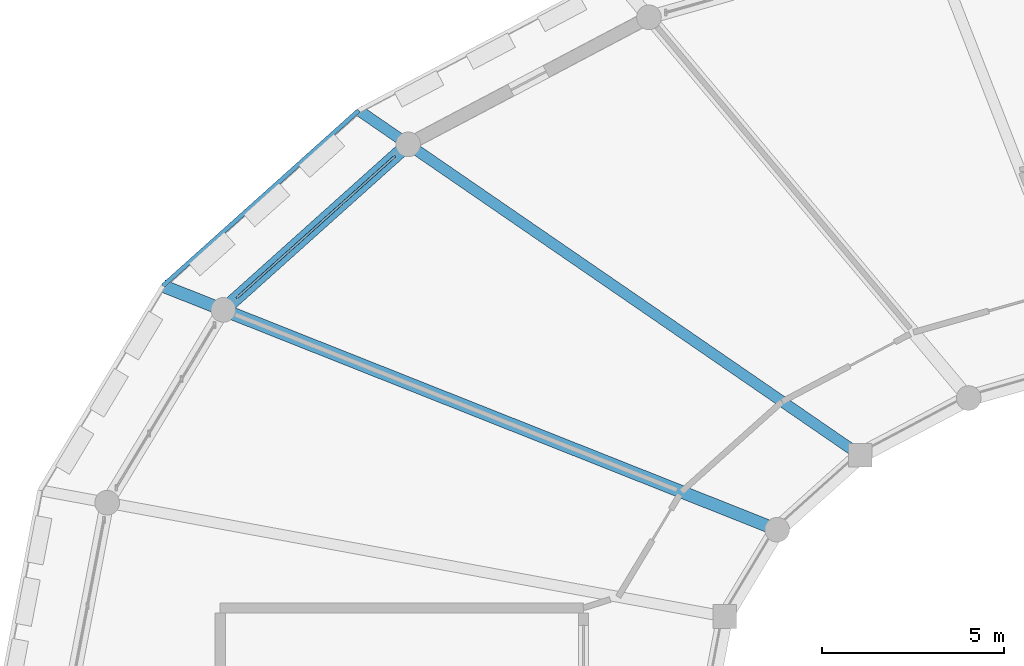
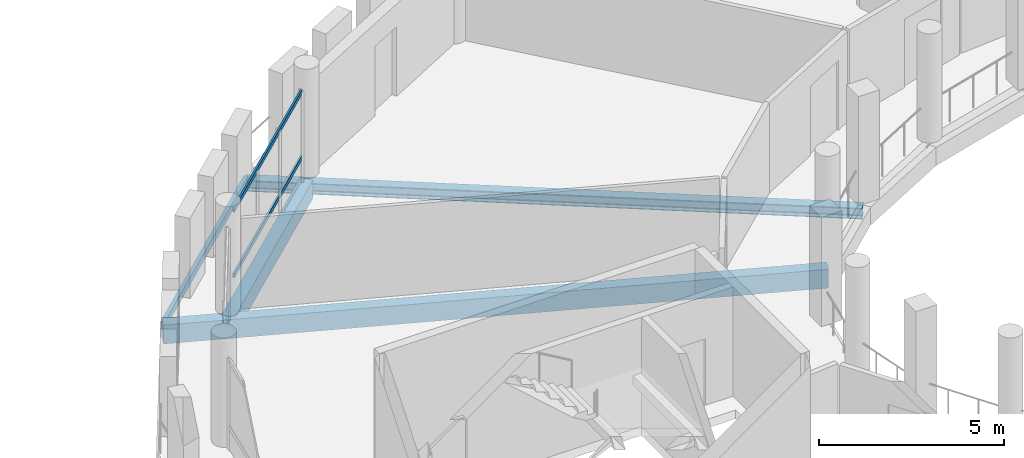
# One storey, part 65 of 128: 4 beams, 2 members, 1 element without a shape of its own.
"""IFC4 building model written with IfcOpenShell, lengths in metres."""

from ifc_helpers import new_model, si_unit, direction, frame, origin, origin_2d, place, context, subcontext, project, spatial, rectangle, hollow_rectangle, i_section, extrude, material, material_profile, profile_set, type_object, element, aggregate, save


model = new_model("IFC4")

# Units and contexts
model_context = context("Model", 3, precision=1e-05, world=origin(), true_north=direction((0.0, 1.0)))
body_context = subcontext(model_context, "Body", "Model", "MODEL_VIEW")
ifc_project = project(units=[si_unit("LENGTHUNIT", "METRE"), si_unit("AREAUNIT", "SQUARE_METRE"), si_unit("VOLUMEUNIT", "CUBIC_METRE"), si_unit("PLANEANGLEUNIT", "RADIAN"), si_unit("MASSUNIT", "GRAM", prefix="KILO")], contexts=[model_context])

# Site, building, storey
site_placement = place(None, origin())
site = spatial("IfcSite", under=ifc_project, at=site_placement, CompositionType="ELEMENT")
building_placement = place(site_placement, origin())
building = spatial("IfcBuilding", under=site, at=building_placement, Name="Zornivar Specialist Clinic", CompositionType="ELEMENT")
storey_placement = place(building_placement, frame((0.0, 0.0, 4.5)))
storey = spatial("IfcBuildingStorey", under=building, at=storey_placement, Name="L01", CompositionType="ELEMENT", Elevation=4.5)

# Beams
ifc_material_1 = material(Name="Concrete C30/37", Category="concrete")
ifc_material_profile_1 = material_profile(ifc_material_1, rectangle(XDim=0.35009765625, YDim=0.6201171875, at=origin_2d()), Name="RC 350x620")
ifc_profile_set_1 = profile_set([ifc_material_profile_1], Name="Concrete C30/37")
beam_type_1 = type_object("IfcBeamType", Name="BM-RC-CANT-350x620", PredefinedType="BEAM", material=ifc_profile_set_1)
beam_1_placement = place(storey_placement, frame((81.12890625, 62.550048828125, -0.550048828125), z_axis=(-0.929458420314, 0.368926882873, 0.0), x_axis=(-0.368926882873, -0.929458420314, 0.0)))
element("IfcBeam", 1, at=beam_1_placement, inside=storey, type_object=beam_type_1, Name="bm:V1:L01:radcant:10", PredefinedType="BEAM", context=body_context, shape_type="SweptSolid", body=[
    extrude(rectangle(XDim=0.35009765625, YDim=0.6201171875, at=origin_2d()), origin(), (0.0, 0.0, 1.0), 18.187744140625),
])
ifc_material_2 = material(Name="Concrete C30/37", Category="concrete")
ifc_material_profile_2 = material_profile(ifc_material_2, rectangle(XDim=0.3701171875, YDim=0.60009765625, at=origin_2d()), Name="RC 370x600")
ifc_profile_set_2 = profile_set([ifc_material_profile_2], Name="Concrete C30/37")
beam_type_2 = type_object("IfcBeamType", Name="BM-RC-SPANDREL-370x600", PredefinedType="SPANDREL", material=ifc_profile_set_2)
beam_2_placement = place(storey_placement, frame((70.972900390625, 73.156005859375, -0.5400390625), z_axis=(-0.744853105459, -0.66722848507, 0.0), x_axis=(0.66722848507, -0.744853105459, 0.0)))
element("IfcBeam", 2, at=beam_2_placement, inside=storey, type_object=beam_type_2, Name="bm:V1:L01:outring:09", PredefinedType="SPANDREL", context=body_context, shape_type="SweptSolid", body=[
    extrude(rectangle(XDim=0.3701171875, YDim=0.60009765625, at=origin_2d()), origin(), (0.0, 0.0, 1.0), 6.828125),
])
ifc_material_3 = material(Name="Steel S355J2", Category="steel")
ifc_material_profile_3 = material_profile(ifc_material_3, i_section(OverallWidth=0.300048828125, OverallDepth=0.360107421875, WebThickness=0.012451171875, FlangeThickness=0.0224609375, FilletRadius=0.027099609375, at=origin_2d()), Name="HEB 360")
ifc_profile_set_3 = profile_set([ifc_material_profile_3], Name="Steel S355J2")
beam_type_3 = type_object("IfcBeamType", Name="BM-STL-HEB360", PredefinedType="BEAM", material=ifc_profile_set_3)
beam_3_placement = place(storey_placement, frame((83.41796875, 64.60009765625, -0.469970703125), z_axis=(-0.82402959127, 0.566546761276, 0.0), x_axis=(-0.566546761276, -0.82402959127, 0.0)))
element("IfcBeam", 3, at=beam_3_placement, inside=storey, type_object=beam_type_3, Name="bm:V1:L01:radmid:09", PredefinedType="BEAM", context=body_context, shape_type="SweptSolid", body=[
    extrude(i_section(OverallWidth=0.300048828125, OverallDepth=0.360107421875, WebThickness=0.012451171875, FlangeThickness=0.0224609375, FilletRadius=0.027099609375, at=origin_2d()), origin(), (0.0, 0.0, 1.0), 16.75048828125),
])
ifc_material_4 = material(Name="Steel S355J2", Category="steel")
ifc_material_profile_4 = material_profile(ifc_material_4, hollow_rectangle(XDim=0.1201171875, YDim=0.239990234375, WallThickness=0.008056640625, at=origin_2d()), Name="RHS 240x120x8")
ifc_profile_set_4 = profile_set([ifc_material_profile_4], Name="Steel S355J2")
beam_type_4 = type_object("IfcBeamType", Name="BM-STL-RHS240", PredefinedType="JOIST", material=ifc_profile_set_4)
beam_4_placement = place(storey_placement, frame((69.614990234375, 74.090087890625, -0.360107421875), z_axis=(-0.744783297449, -0.667306406264, 0.0), x_axis=(0.667306406264, -0.744783297449, 0.0)))
element("IfcBeam", 4, at=beam_4_placement, inside=storey, type_object=beam_type_4, Name="bm:V1:L01:balring:09", PredefinedType="JOIST", context=body_context, shape_type="SweptSolid", body=[
    extrude(hollow_rectangle(XDim=0.1201171875, YDim=0.239990234375, WallThickness=0.008056640625, at=origin_2d()), origin(), (0.0, 0.0, 1.0), 7.23828125),
])

# Curtain wall, members
ifc_material_5 = material(Name="Aluminium and Low-E Glass Curtain Wall", Category="aluminium")
curtain_wall_type = type_object("IfcCurtainWallType", Name="CW-DRUM-FACET", PredefinedType="NOTDEFINED", material=ifc_material_5)
curtain_wall_placement = place(storey_placement, origin())
curtain_wall = element("IfcCurtainWall", 5, at=curtain_wall_placement, inside=storey, type_object=curtain_wall_type, Name="cw:V1:L01:c09", PredefinedType="NOTDEFINED")
ifc_material_6 = material(Name="Aluminium AW-6060", Category="aluminium")
ifc_material_profile_5 = material_profile(ifc_material_6, hollow_rectangle(XDim=0.06005859375, YDim=0.14501953125, WallThickness=0.00390625, at=origin_2d()), Name="ALU 60x145x4")
ifc_profile_set_5 = profile_set([ifc_material_profile_5], Name="Aluminium AW-6060")
member_type = type_object("IfcMemberType", Name="CWM-TRN-145", PredefinedType="USERDEFINED", material=ifc_profile_set_5)
member_1_placement = place(storey_placement, frame((70.614990234375, 72.8349609375, 0.782958984375), z_axis=(-0.744887471381, -0.667190119067, 0.0), x_axis=(0.667190119067, -0.744887471381, 0.0)))
member_1 = element("IfcMember", 6, at=member_1_placement, type_object=member_type, Name="cw:V1:L01:c09:trn:0", ObjectType="TRANSOM", PredefinedType="USERDEFINED", context=body_context, shape_type="SweptSolid", body=[
    extrude(hollow_rectangle(XDim=0.06005859375, YDim=0.14501953125, WallThickness=0.00390625, at=origin_2d()), origin(), (0.0, 0.0, 1.0), 5.866455078125),
])
member_2_placement = place(storey_placement, frame((70.614990234375, 72.8349609375, 2.945068359375), z_axis=(-0.744887471381, -0.667190119067, 0.0), x_axis=(0.667190119067, -0.744887471381, 0.0)))
member_2 = element("IfcMember", 7, at=member_2_placement, type_object=member_type, Name="cw:V1:L01:c09:trn:1", ObjectType="TRANSOM", PredefinedType="USERDEFINED", context=body_context, shape_type="SweptSolid", body=[
    extrude(hollow_rectangle(XDim=0.06005859375, YDim=0.14501953125, WallThickness=0.00390625, at=origin_2d()), origin(), (0.0, 0.0, 1.0), 5.866455078125),
])
aggregate(curtain_wall, [member_1, member_2])

save(model, "model.ifc")
